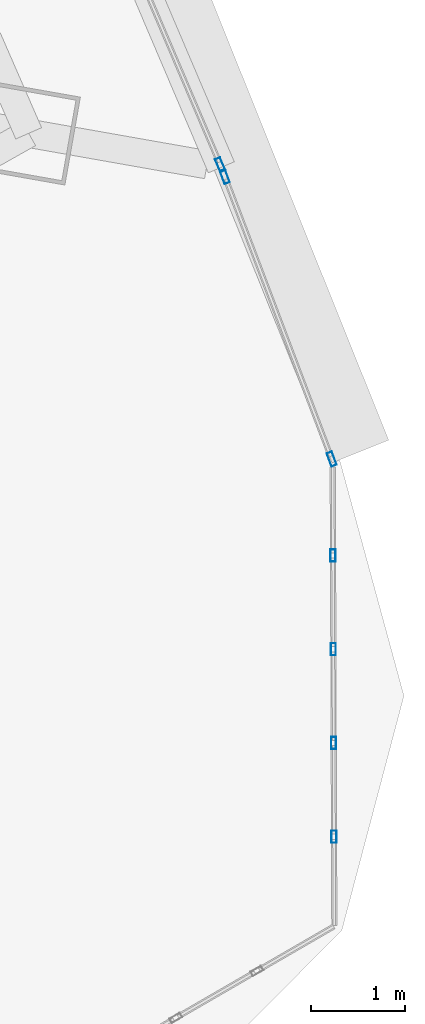
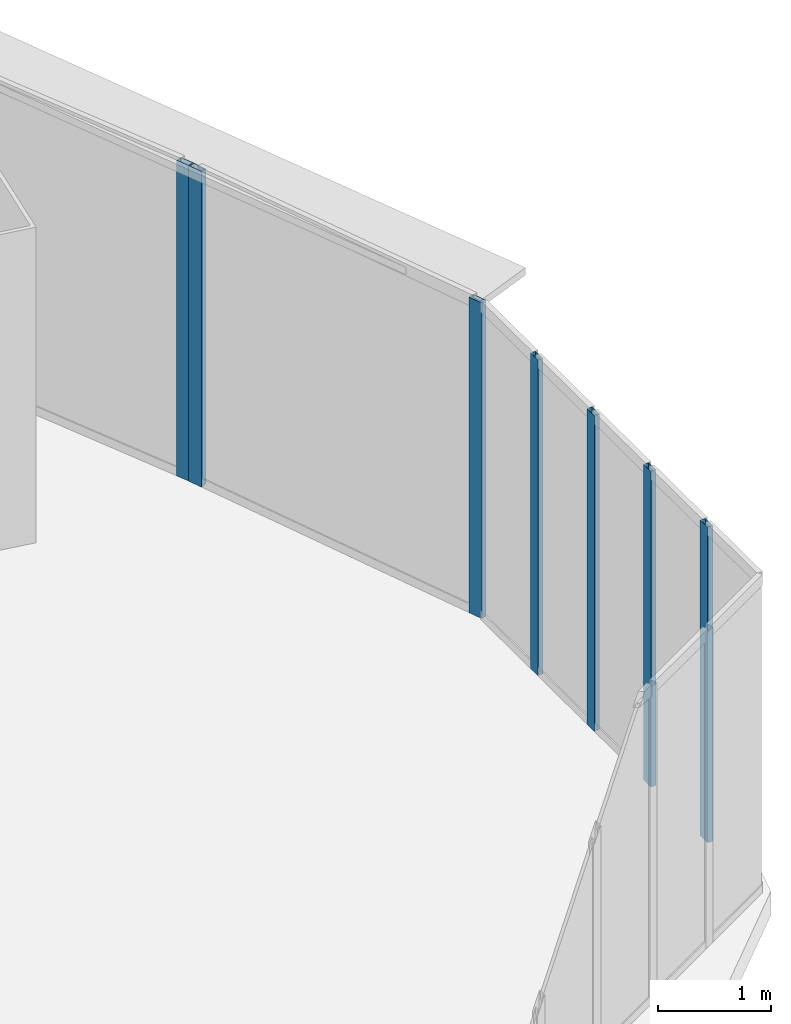
# One storey, part 24 of 42: 7 members, 3 elements without a shape of their own.
"""IFC4 building model written with IfcOpenShell, lengths in metres."""

from ifc_helpers import new_model, si_unit, direction, frame, origin, origin_2d, place, context, subcontext, project, spatial, hollow_rectangle, extrude, source, transform, mapped, material, layer, layer_set, material_profile, profile_set, type_object, element, aggregate, save


model = new_model("IFC4")

# Units and contexts
model_context = context("Model", 3, precision=1e-05, world=origin(), true_north=direction((0.0, 1.0)))
body_context = subcontext(model_context, "Body", "Model", "MODEL_VIEW")
ifc_project = project(units=[si_unit("LENGTHUNIT", "METRE"), si_unit("AREAUNIT", "SQUARE_METRE"), si_unit("VOLUMEUNIT", "CUBIC_METRE"), si_unit("PLANEANGLEUNIT", "RADIAN"), si_unit("MASSUNIT", "GRAM", prefix="KILO"), si_unit("THERMODYNAMICTEMPERATUREUNIT", "KELVIN"), si_unit("POWERUNIT", "WATT")], contexts=[model_context])

# Site, building, storey
site_placement = place(None, origin())
site = spatial("IfcSite", under=ifc_project, at=site_placement, CompositionType="ELEMENT")
building_placement = place(site_placement, origin())
building = spatial("IfcBuilding", under=site, at=building_placement, Name="Yunzhuo Pagoda Commons", CompositionType="ELEMENT")
storey_placement = place(building_placement, frame((0.0, 0.0, 133.510009765625)))
storey = spatial("IfcBuildingStorey", under=building, at=storey_placement, Name="L33", CompositionType="ELEMENT", Elevation=133.510009765625)

# Curtain wall, member
ifc_material = material(Name="Anodized aluminium 6063-T6", Category="aluminium")
ifc_layer_1 = layer(ifc_material, 0.14990234375)
ifc_layer_set_1 = layer_set([ifc_layer_1], Name="Anodized aluminium 6063-T6")
curtain_wall_type_1 = type_object("IfcCurtainWallType", Name="CW-MID Mid-Zone Ribbon Curtain Wall", PredefinedType="NOTDEFINED", material=ifc_layer_set_1)
curtain_wall_1_placement = place(storey_placement, origin())
curtain_wall_1 = element("IfcCurtainWall", 1, at=curtain_wall_1_placement, inside=storey, type_object=curtain_wall_type_1, Name="L33 curtain wall CW-L33-F2B2", PredefinedType="NOTDEFINED")
ifc_material_profile_1 = material_profile(ifc_material, hollow_rectangle(XDim=0.06005859375, YDim=0.14990234375, WallThickness=0.00390625, at=origin_2d()), Name="Anodized aluminium 6063-T6")
ifc_profile_set_1 = profile_set([ifc_material_profile_1], Name="Anodized aluminium 6063-T6")
member_type_1 = type_object("IfcMemberType", Name="CW-MID-M Mullion RHS 150x60x4", PredefinedType="MULLION", material=ifc_profile_set_1)
shared_shape_1 = source(origin(), body_context, "Body", "SweptSolid", [
    extrude(hollow_rectangle(XDim=0.06005859375, YDim=0.14990234375, WallThickness=0.00390625, at=origin_2d()), origin(), (0.0, 0.0, 1.0), 3.419921875),
])
member_1_placement = place(storey_placement, frame((87.0361328125, 26.84228515625, 0.0), z_axis=(0.0, 0.0, 1.0), x_axis=(-0.919928137274, -0.392087008522, 0.0)))
member_1 = element("IfcMember", 2, at=member_1_placement, type_object=member_type_1, Name="CW mullion 1", PredefinedType="MULLION", context=body_context, shape_type="MappedRepresentation", body=[
    mapped(shared_shape_1, transform((0.0, 0.0, 0.0), scale=1.0)),
])
aggregate(curtain_wall_1, [member_1])

# Curtain wall, members
curtain_wall_2_placement = place(storey_placement, origin())
curtain_wall_2 = element("IfcCurtainWall", 3, at=curtain_wall_2_placement, inside=storey, type_object=curtain_wall_type_1, Name="L33 curtain wall CW-L33-F2B1", PredefinedType="NOTDEFINED")
member_2_placement = place(storey_placement, frame((88.222900390625, 23.708740234375, 0.0), z_axis=(0.0, 0.0, 1.0), x_axis=(-0.935321752827, -0.353798274003, 0.0)))
member_2 = element("IfcMember", 4, at=member_2_placement, type_object=member_type_1, Name="CW mullion 1", PredefinedType="MULLION", context=body_context, shape_type="MappedRepresentation", body=[
    mapped(shared_shape_1, transform((0.0, 0.0, 0.0), scale=1.0)),
])
member_3_placement = place(storey_placement, frame((87.0849609375, 26.716552734375, 0.0), z_axis=(0.0, 0.0, 1.0), x_axis=(-0.935321752827, -0.353798274003, 0.0)))
member_3 = element("IfcMember", 5, at=member_3_placement, type_object=member_type_1, Name="CW mullion 2", PredefinedType="MULLION", context=body_context, shape_type="MappedRepresentation", body=[
    mapped(shared_shape_1, transform((0.0, 0.0, 0.0), scale=1.0)),
])
aggregate(curtain_wall_2, [member_2, member_3])

ifc_layer_2 = layer(ifc_material, 0.1298828125)
ifc_layer_set_2 = layer_set([ifc_layer_2], Name="Anodized aluminium 6063-T6")
curtain_wall_type_2 = type_object("IfcCurtainWallType", Name="CW-VTX Rounded Corner Curtain Wall", PredefinedType="NOTDEFINED", material=ifc_layer_set_2)
curtain_wall_3_placement = place(storey_placement, origin())
curtain_wall_3 = element("IfcCurtainWall", 6, at=curtain_wall_3_placement, inside=storey, type_object=curtain_wall_type_2, Name="L33 curtain wall CW-L33-VTX2S2", PredefinedType="NOTDEFINED")
ifc_material_profile_2 = material_profile(ifc_material, hollow_rectangle(XDim=0.054931640625, YDim=0.1298828125, WallThickness=0.00341796875, at=origin_2d()), Name="Anodized aluminium 6063-T6")
ifc_profile_set_2 = profile_set([ifc_material_profile_2], Name="Anodized aluminium 6063-T6")
member_type_2 = type_object("IfcMemberType", Name="CW-VTX-M Mullion RHS 130x55x3.5", PredefinedType="MULLION", material=ifc_profile_set_2)
shared_shape_2 = source(origin(), body_context, "Body", "SweptSolid", [
    extrude(hollow_rectangle(XDim=0.054931640625, YDim=0.1298828125, WallThickness=0.00341796875, at=origin_2d()), origin(), (0.0, 0.0, 1.0), 3.419921875),
])
member_4_placement = place(storey_placement, frame((88.247802734375, 19.68798828125, 0.0), z_axis=(0.0, 0.0, 1.0), x_axis=(-0.999993568215, -0.003586576275, 0.0)))
member_4 = element("IfcMember", 7, at=member_4_placement, type_object=member_type_2, Name="CW mullion 2", PredefinedType="MULLION", context=body_context, shape_type="MappedRepresentation", body=[
    mapped(shared_shape_2, transform((0.0, 0.0, 0.0), scale=1.0)),
])
member_5_placement = place(storey_placement, frame((88.244140625, 20.686279296875, 0.0), z_axis=(0.0, 0.0, 1.0), x_axis=(-0.999993568215, -0.003586576275, 0.0)))
member_5 = element("IfcMember", 8, at=member_5_placement, type_object=member_type_2, Name="CW mullion 3", PredefinedType="MULLION", context=body_context, shape_type="MappedRepresentation", body=[
    mapped(shared_shape_2, transform((0.0, 0.0, 0.0), scale=1.0)),
])
member_6_placement = place(storey_placement, frame((88.24072265625, 21.684326171875, 0.0), z_axis=(0.0, 0.0, 1.0), x_axis=(-0.999993568215, -0.003586576275, 0.0)))
member_6 = element("IfcMember", 9, at=member_6_placement, type_object=member_type_2, Name="CW mullion 4", PredefinedType="MULLION", context=body_context, shape_type="MappedRepresentation", body=[
    mapped(shared_shape_2, transform((0.0, 0.0, 0.0), scale=1.0)),
])
member_7_placement = place(storey_placement, frame((88.2373046875, 22.6826171875, 0.0), z_axis=(0.0, 0.0, 1.0), x_axis=(-0.999993568215, -0.003586576275, 0.0)))
member_7 = element("IfcMember", 10, at=member_7_placement, type_object=member_type_2, Name="CW mullion 5", PredefinedType="MULLION", context=body_context, shape_type="MappedRepresentation", body=[
    mapped(shared_shape_2, transform((0.0, 0.0, 0.0), scale=1.0)),
])
aggregate(curtain_wall_3, [member_4, member_5, member_6, member_7])

save(model, "model.ifc")
